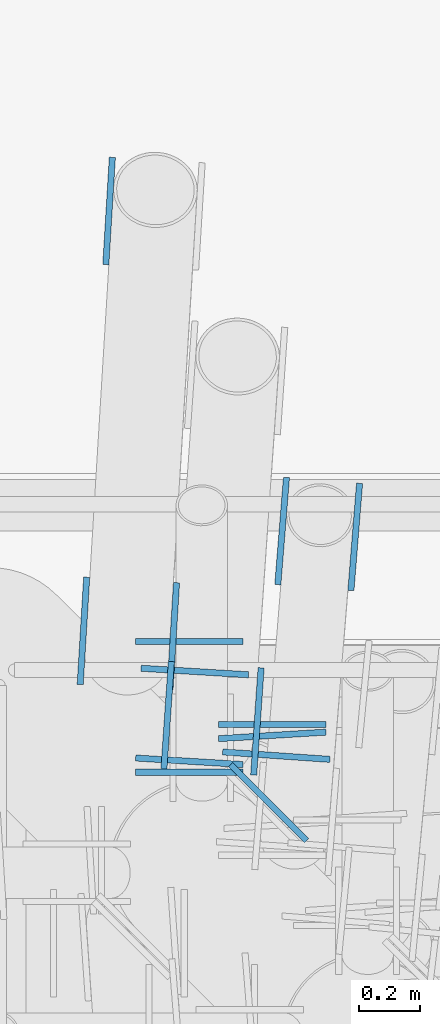
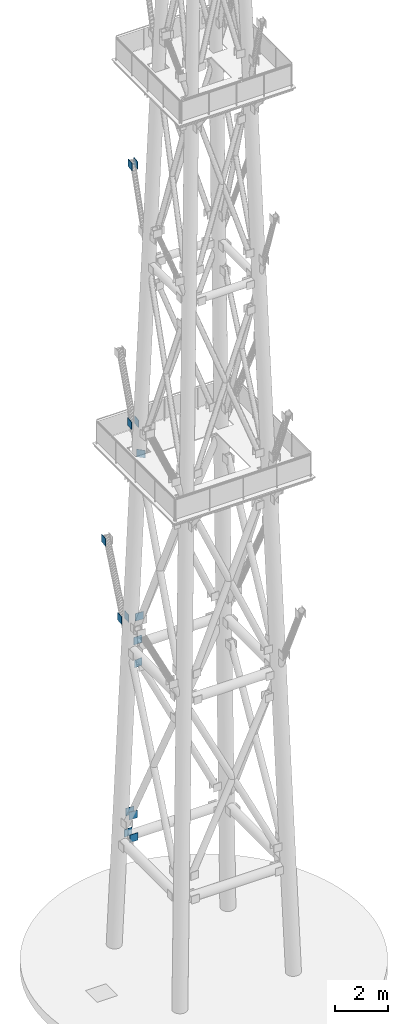
# One storey, part 17 of 25: 15 discrete accessories.
"""IFC4 building model written with IfcOpenShell, lengths in metres."""

from ifc_helpers import new_model, si_unit, direction, frame, origin, origin_2d, place, context, subcontext, project, spatial, rectangle, extrude, element, save


model = new_model("IFC4")

# Units and contexts
model_context = context("Model", 3, precision=1e-05, world=origin(), true_north=direction((0.0, 1.0)))
body_context = subcontext(model_context, "Body", "Model", "MODEL_VIEW")
ifc_project = project(units=[si_unit("LENGTHUNIT", "METRE"), si_unit("AREAUNIT", "SQUARE_METRE"), si_unit("VOLUMEUNIT", "CUBIC_METRE"), si_unit("PLANEANGLEUNIT", "RADIAN"), si_unit("MASSUNIT", "GRAM", prefix="KILO")], contexts=[model_context])

# Site, building, storey
site_placement = place(None, origin())
site = spatial("IfcSite", under=ifc_project, at=site_placement, CompositionType="ELEMENT")
building_placement = place(site_placement, origin())
building = spatial("IfcBuilding", under=site, at=building_placement, Name="Vidyagriha Tower", CompositionType="ELEMENT")
storey_placement = place(building_placement, frame((0.0, 0.0, 318.39990234375)))
storey = spatial("IfcBuildingStorey", under=building, at=storey_placement, Name="RF", CompositionType="ELEMENT", Elevation=318.39990234375)

# Discrete accessories
for number, where, z_axis, x_axis, name in (
    (1, (-1.592529296875, 15.0380859375, 22.650146484375), (0.0, 0.0, 1.0), (0.707106781187, -0.707106781187, 0.0), "End plate ASTM A572 Grade 50 20mm"),
    (2, (-1.85009765625, 15.136962890625, 4.824951171875), (0.0, 0.0, 1.0), (-1.0, 0.0, 0.0), "End plate ASTM A572 Grade 50 20mm"),
    (3, (-1.85009765625, 15.56298828125, 4.824951171875), (0.0, 0.0, 1.0), (-1.0, 0.0, 0.0), "End plate ASTM A572 Grade 50 20mm"),
    (4, (-1.580078125, 15.29296875, 13.824951171875), (0.0, 0.0, 1.0), (-1.0, 0.0, 0.0), "End plate ASTM A572 Grade 50 20mm"),
    (5, (-1.58056640625, 15.257080078125, 12.792236328125), (0.0, 0.0, 1.0), (-0.998148730357, -0.060820326265, 0.0), "End plate ASTM A572 Grade 50 20mm"),
    (6, (-1.8505859375, 15.1728515625, 5.85791015625), (0.0, 0.0, 1.0), (-0.998148518048, 0.060823810461, 0.0), "End plate ASTM A572 Grade 50 20mm"),
    (7, (-1.832763671875, 15.465087890625, 5.85791015625), (0.0, 0.0, 1.0), (-0.998148518048, 0.060823810461, 0.0), "End plate ASTM A572 Grade 50 20mm"),
    (8, (-1.90283203125, 15.57958984375, 14.85791015625), (0.0, 0.0, 1.0), (-0.060794194772, -0.998150322287, 0.0), "End plate ASTM A572 Grade 50 20mm"),
    (9, (-2.1953125, 15.597412109375, 14.85791015625), (0.0, 0.0, 1.0), (-0.060794194772, -0.998150322287, 0.0), "End plate ASTM A572 Grade 50 20mm"),
    (10, (-2.11181640625, 16.964599609375, 17.6357421875), (0.0, 0.0, 1.0), (0.060794194772, 0.998150322287, 0.0), "End plate ASTM A572 Grade 50 20mm"),
    (11, (-1.5673828125, 15.191162109375, 14.988037109375), (0.0, 0.0, 1.0), (-0.997599712846, 0.069244587734, 0.0), "End plate ASTM A572 Grade 50 20mm"),
    (12, (-1.62890625, 15.302490234375, 23.988037109375), (0.0, 0.0, 1.0), (-0.069251552292, -0.997599229403, 0.0), "End plate ASTM A572 Grade 50 20mm"),
    (13, (-1.921142578125, 15.32275390625, 23.988037109375), (0.0, 0.0, 1.0), (-0.069251552292, -0.997599229403, 0.0), "End plate ASTM A572 Grade 50 20mm"),
    (14, (-1.54833984375, 15.92236328125, 35.51318359375), (0.0, 0.0, 1.0), (0.080348538256, 0.996766829504, 0.0), "End plate ASTM A572 Grade 50 20mm"),
    (15, (-1.310302734375, 15.9033203125, 35.51318359375), (0.0, 0.0, 1.0), (0.080348538256, 0.996766829504, 0.0), "End plate ASTM A572 Grade 50 20mm"),
):
    element("IfcDiscreteAccessory", number, at=place(storey_placement, frame(where, z_axis=z_axis, x_axis=x_axis)), inside=storey, Name=name, ObjectType="END PLATE", PredefinedType="USERDEFINED", context=body_context, shape_type="SweptSolid", body=[
        extrude(rectangle(XDim=0.35009765625, YDim=0.02001953125, at=origin_2d()), origin(), (0.0, 0.0, 1.0), 0.35009765625),
    ])

save(model, "model.ifc")
